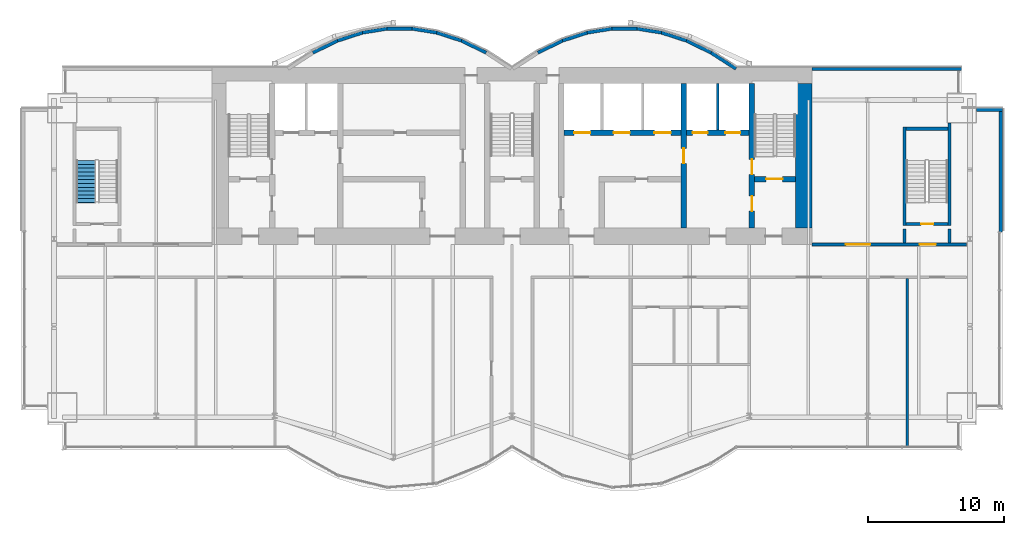
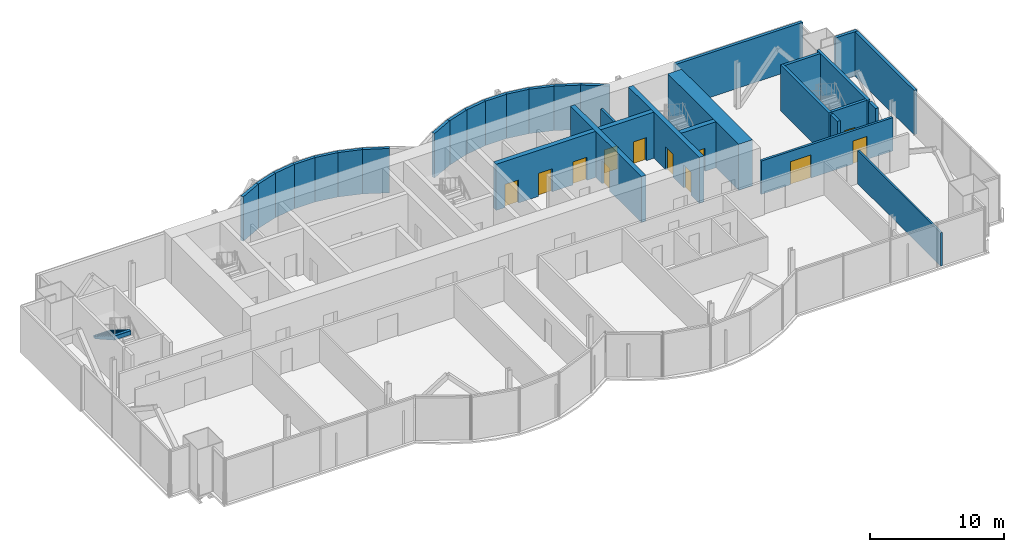
# One storey, part 15 of 19: 32 walls, 12 doors, 1 stair flight, 12 openings, 1 element without a shape of its own.
"""IFC4 building model written with IfcOpenShell, lengths in metres."""

from ifc_helpers import new_model, si_unit, direction, frame, frame_2d, origin, place, context, subcontext, project, spatial, polyline, rectangle, outline, extrude, material, layer, layer_set, layer_usage, type_object, element, fill, aggregate, save


model = new_model("IFC4")

# Units and contexts
model_context = context("Model", 3, precision=1e-05, world=origin(), true_north=direction((0.0, 1.0)))
body_context = subcontext(model_context, "Body", "Model", "MODEL_VIEW")
ifc_project = project(units=[si_unit("LENGTHUNIT", "METRE"), si_unit("AREAUNIT", "SQUARE_METRE"), si_unit("VOLUMEUNIT", "CUBIC_METRE"), si_unit("PLANEANGLEUNIT", "RADIAN"), si_unit("MASSUNIT", "GRAM", prefix="KILO")], contexts=[model_context])

# Site, building, storey
site_placement = place(None, origin())
site = spatial("IfcSite", under=ifc_project, at=site_placement, CompositionType="ELEMENT")
building_placement = place(site_placement, origin())
building = spatial("IfcBuilding", under=site, at=building_placement, Name="Bicima Exchange Tower", CompositionType="ELEMENT")
storey_placement = place(building_placement, frame((0.0, 0.0, 279.199951171875)))
storey = spatial("IfcBuildingStorey", under=building, at=storey_placement, Name="L63", CompositionType="ELEMENT", Elevation=279.199951171875)

# Wall
ifc_material_1 = material(Name="Gypsum board partition")
ifc_layer_1 = layer(ifc_material_1, 0.199951171875)
ifc_layer_set_1 = layer_set([ifc_layer_1], Name="Gypsum board partition")
wall_type_1 = type_object("IfcWallType", Name="Fire-rated gypsum partition 200 EI120", PredefinedType="PARTITIONING", material=ifc_layer_set_1)
wall_1_placement = place(storey_placement, frame((15.10009765625, -4.60009765625, 0.0), z_axis=(0.0, 0.0, 1.0), x_axis=(0.0, 1.0, 0.0)))
element("IfcWall", 1, at=wall_1_placement, inside=storey, type_object=wall_type_1, Name="partition wall 20", PredefinedType="PARTITIONING", context=body_context, shape_type="SweptSolid", body=[
    extrude(rectangle(XDim=3.400146484375, YDim=0.199951171875, at=frame_2d((1.7001953125, 0.0))), origin(), (0.0, 0.0, 1.0), 3.03955078125),
])

# Wall, openings, doors
ifc_layer_2 = layer(ifc_material_1, 0.199951171875)
ifc_layer_set_2 = layer_set([ifc_layer_2], Name="Gypsum board partition")
wall_type_2 = type_object("IfcWallType", Name="Fire-rated gypsum partition 200 EI60", PredefinedType="PARTITIONING", material=ifc_layer_set_2)
wall_2_placement = place(storey_placement, frame((22.0, -13.0, 0.0), z_axis=(0.0, 0.0, 1.0), x_axis=(1.0, 0.0, 0.0)))
wall_2 = element("IfcWall", 2, at=wall_2_placement, inside=storey, type_object=wall_type_2, Name="partition wall 6", PredefinedType="PARTITIONING", context=body_context, shape_type="SweptSolid", body=[
    extrude(rectangle(XDim=11.340087890625, YDim=0.199951171875, at=frame_2d((5.669921875, 0.0))), origin(), (0.0, 0.0, 1.0), 3.03955078125),
])
opening_1_placement = place(wall_2_placement, frame((7.89990234375, 0.0, 0.0)))
opening_1 = element("IfcOpeningElement", 3, at=opening_1_placement, cuts=wall_2, Name="Opening L63-003", PredefinedType="OPENING", context=body_context, shape_type="SweptSolid", body=[
    extrude(rectangle(XDim=1.199951171875, YDim=2.10009765625, at=frame_2d((0.60009765625, 1.050048828125))), frame((0.0, 0.11181640625, 0.0), z_axis=(0.0, -1.0, 0.0), x_axis=(1.0, 0.0, 0.0)), (0.0, 0.0, 1.0), 0.223876953125),
])
opening_2_placement = place(wall_2_placement, frame((2.5, 0.0, 0.0)))
opening_2 = element("IfcOpeningElement", 4, at=opening_2_placement, cuts=wall_2, Name="Opening L63-006", PredefinedType="OPENING", context=body_context, shape_type="SweptSolid", body=[
    extrude(rectangle(XDim=1.800048828125, YDim=2.10009765625, at=frame_2d((0.89990234375, 1.050048828125))), frame((0.0, 0.11181640625, 0.0), z_axis=(0.0, -1.0, 0.0), x_axis=(1.0, 0.0, 0.0)), (0.0, 0.0, 1.0), 0.223876953125),
])
ifc_material_2 = material(Name="Steel fire door leaf", Category="steel")
door_type_1 = type_object("IfcDoorType", Name="Door 1200 swing FD30S", OperationType="SINGLE_SWING_LEFT", PredefinedType="DOOR", material=ifc_material_2)
door_1_placement = place(opening_1_placement, origin())
door_1 = element("IfcDoor", 5, at=door_1_placement, inside=storey, type_object=door_type_1, Name="Door", OperationType="SINGLE_SWING_RIGHT", OverallHeight=2.10009765625, OverallWidth=1.199951171875, PredefinedType="DOOR", context=body_context, shape_type="SweptSolid", body=[
    extrude(rectangle(XDim=1.199951171875, YDim=2.10009765625, at=frame_2d((0.60009765625, 1.050048828125))), frame((0.0, 0.02490234375, 0.0), z_axis=(0.0, -1.0, 0.0), x_axis=(1.0, 0.0, 0.0)), (0.0, 0.0, 1.0), 0.050048828125),
])
fill(opening_1, door_1)
door_type_2 = type_object("IfcDoorType", Name="Door 1800 double swing FD30S", OperationType="DOUBLE_DOOR_SINGLE_SWING", PredefinedType="DOOR", material=ifc_material_2)
door_2_placement = place(opening_2_placement, origin())
door_2 = element("IfcDoor", 6, at=door_2_placement, inside=storey, type_object=door_type_2, Name="Door", OperationType="SINGLE_SWING_LEFT", OverallHeight=2.10009765625, OverallWidth=1.800048828125, PredefinedType="DOOR", context=body_context, shape_type="SweptSolid", body=[
    extrude(rectangle(XDim=1.800048828125, YDim=2.10009765625, at=frame_2d((0.89990234375, 1.050048828125))), frame((0.0, 0.02490234375, 0.0), z_axis=(0.0, -1.0, 0.0), x_axis=(1.0, 0.0, 0.0)), (0.0, 0.0, 1.0), 0.050048828125),
])
fill(opening_2, door_2)

# Walls
ifc_layer_3 = layer(ifc_material_1, 0.14990234375)
ifc_layer_set_3 = layer_set([ifc_layer_3], Name="Gypsum board partition")
wall_type_3 = type_object("IfcWallType", Name="Gypsum partition 150", PredefinedType="PARTITIONING", material=ifc_layer_set_3)
wall_3_placement = place(storey_placement, frame((29.0, -27.8798828125, 0.0), z_axis=(0.0, 0.0, 1.0), x_axis=(0.0, 1.0, 0.0)))
element("IfcWall", 7, at=wall_3_placement, inside=storey, type_object=wall_type_3, Name="partition wall 26", PredefinedType="PARTITIONING", context=body_context, shape_type="SweptSolid", body=[
    extrude(rectangle(XDim=12.3798828125, YDim=0.14990234375, at=frame_2d((6.18994140625, 0.0))), origin(), (0.0, 0.0, 1.0), 3.03955078125),
])
ifc_material_3 = material(Name="Concrete C40/50", Category="concrete")
ifc_layer_4 = layer(ifc_material_3, 1.199951171875)
ifc_layer_set_4 = layer_set([ifc_layer_4], Name="Concrete C40/50")
wall_type_4 = type_object("IfcWallType", Name="RC core wall 1200 C40/50", PredefinedType="SHEAR", material=ifc_layer_set_4)
wall_4_placement = place(storey_placement, frame((21.39990234375, -11.800048828125, 0.0), z_axis=(0.0, 0.0, 1.0), x_axis=(0.0, 1.0, 0.0)))
element("IfcWall", 8, at=wall_4_placement, inside=storey, type_object=wall_type_4, Name="Core wall east", PredefinedType="SHEAR", context=body_context, shape_type="SweptSolid", body=[
    extrude(rectangle(XDim=10.60009765625, YDim=1.199951171875, at=frame_2d((5.300048828125, 0.0))), origin(), (0.0, 0.0, 1.0), 4.199951171875),
])
ifc_material_4 = material(Name="Concrete C50/60", Category="concrete")
ifc_layer_5 = layer(ifc_material_4, 0.25)
ifc_layer_set_5 = layer_set([ifc_layer_5], Name="Concrete C50/60")
wall_type_5 = type_object("IfcWallType", Name="RC core wall 250 C50/60", PredefinedType="SHEAR", material=ifc_layer_set_5)
for number, where, z_axis, x_axis, name in (
    (9, (28.800048828125, -12.89990234375, 0.0), (0.0, 0.0, 1.0), (0.0, 1.0, 0.0), "stair wall 25"),
    (10, (32.10009765625, -12.89990234375, 0.0), (0.0, 0.0, 1.0), (0.0, 1.0, 0.0), "stair wall 27"),
):
    element("IfcWall", number, at=place(storey_placement, frame(where, z_axis=z_axis, x_axis=x_axis)), inside=storey, type_object=wall_type_5, Name=name, PredefinedType="SHEAR", context=body_context, shape_type="SweptSolid", body=[
        extrude(rectangle(XDim=1.0498046875, YDim=0.25, at=frame_2d((0.52490234375, 0.0))), origin(), (0.0, 0.0, 1.0), 4.199951171875),
    ])

# Wall, openings, doors
ifc_layer_6 = layer(ifc_material_3, 0.39990234375)
ifc_layer_set_6 = layer_set([ifc_layer_6], Name="Concrete C40/50")
wall_type_6 = type_object("IfcWallType", Name="RC core wall 400 C40/50", PredefinedType="SHEAR", material=ifc_layer_set_6)
wall_5_placement = place(storey_placement, frame((3.800048828125, -4.800048828125, 0.0), z_axis=(0.0, 0.0, 1.0), x_axis=(1.0, 0.0, 0.0)))
wall_5 = element("IfcWall", 11, at=wall_5_placement, inside=storey, type_object=wall_type_6, Name="shear wall 7", PredefinedType="SHEAR", context=body_context, shape_type="SweptSolid", body=[
    extrude(rectangle(XDim=13.599853515625, YDim=0.39990234375, at=frame_2d((6.7998046875, 0.0))), origin(), (0.0, 0.0, 1.0), 4.199951171875),
])
opening_3_placement = place(wall_5_placement, frame((0.75, 0.0, 0.0)))
opening_3 = element("IfcOpeningElement", 12, at=opening_3_placement, cuts=wall_5, Name="Opening LD-HB1-L63", PredefinedType="OPENING", context=body_context, shape_type="SweptSolid", body=[
    extrude(rectangle(XDim=1.199951171875, YDim=2.10009765625, at=frame_2d((0.60009765625, 1.050048828125))), frame((0.0, 0.2119140625, 0.0), z_axis=(0.0, -1.0, 0.0), x_axis=(1.0, 0.0, 0.0)), (0.0, 0.0, 1.0), 0.423828125),
])
opening_4_placement = place(wall_5_placement, frame((3.64990234375, 0.0, 0.0)))
opening_4 = element("IfcOpeningElement", 13, at=opening_4_placement, cuts=wall_5, Name="Opening LD-HB2-L63", PredefinedType="OPENING", context=body_context, shape_type="SweptSolid", body=[
    extrude(rectangle(XDim=1.199951171875, YDim=2.10009765625, at=frame_2d((0.60009765625, 1.050048828125))), frame((0.0, 0.2119140625, 0.0), z_axis=(0.0, -1.0, 0.0), x_axis=(1.0, 0.0, 0.0)), (0.0, 0.0, 1.0), 0.423828125),
])
opening_5_placement = place(wall_5_placement, frame((6.64990234375, 0.0, 0.0)))
opening_5 = element("IfcOpeningElement", 14, at=opening_5_placement, cuts=wall_5, Name="Opening LD-HB3-L63", PredefinedType="OPENING", context=body_context, shape_type="SweptSolid", body=[
    extrude(rectangle(XDim=1.199951171875, YDim=2.10009765625, at=frame_2d((0.60009765625, 1.050048828125))), frame((0.0, 0.2119140625, 0.0), z_axis=(0.0, -1.0, 0.0), x_axis=(1.0, 0.0, 0.0)), (0.0, 0.0, 1.0), 0.423828125),
])
opening_6_placement = place(wall_5_placement, frame((9.449951171875, 0.0, 0.0)))
opening_6 = element("IfcOpeningElement", 15, at=opening_6_placement, cuts=wall_5, Name="Opening LD-FF2-L63", PredefinedType="OPENING", context=body_context, shape_type="SweptSolid", body=[
    extrude(rectangle(XDim=1.10009765625, YDim=2.10009765625, at=frame_2d((0.550048828125, 1.050048828125))), frame((0.0, 0.2119140625, 0.0), z_axis=(0.0, -1.0, 0.0), x_axis=(1.0, 0.0, 0.0)), (0.0, 0.0, 1.0), 0.423828125),
])
opening_7_placement = place(wall_5_placement, frame((11.85009765625, 0.0, 0.0)))
opening_7 = element("IfcOpeningElement", 16, at=opening_7_placement, cuts=wall_5, Name="Opening LD-SV1-L63", PredefinedType="OPENING", context=body_context, shape_type="SweptSolid", body=[
    extrude(rectangle(XDim=1.10009765625, YDim=2.10009765625, at=frame_2d((0.550048828125, 1.050048828125))), frame((0.0, 0.2119140625, 0.0), z_axis=(0.0, -1.0, 0.0), x_axis=(1.0, 0.0, 0.0)), (0.0, 0.0, 1.0), 0.423828125),
])
ifc_material_5 = material(Name="Stainless steel", Category="steel")
door_type_3 = type_object("IfcDoorType", Name="Lift landing door 1100 sliding", OperationType="DOUBLE_DOOR_SLIDING", PredefinedType="DOOR", material=ifc_material_5)
door_3_placement = place(opening_6_placement, origin())
door_3 = element("IfcDoor", 17, at=door_3_placement, inside=storey, type_object=door_type_3, Name="Lift landing door FF2", OperationType="DOUBLE_DOOR_SLIDING", OverallHeight=2.10009765625, OverallWidth=1.10009765625, PredefinedType="DOOR", context=body_context, shape_type="SweptSolid", body=[
    extrude(rectangle(XDim=1.10009765625, YDim=2.10009765625, at=frame_2d((0.550048828125, 1.050048828125))), frame((0.0, 0.02490234375, 0.0), z_axis=(0.0, -1.0, 0.0), x_axis=(1.0, 0.0, 0.0)), (0.0, 0.0, 1.0), 0.050048828125),
])
fill(opening_6, door_3)
door_4_placement = place(opening_7_placement, origin())
door_4 = element("IfcDoor", 18, at=door_4_placement, inside=storey, type_object=door_type_3, Name="Lift landing door SV1", OperationType="DOUBLE_DOOR_SLIDING", OverallHeight=2.10009765625, OverallWidth=1.10009765625, PredefinedType="DOOR", context=body_context, shape_type="SweptSolid", body=[
    extrude(rectangle(XDim=1.10009765625, YDim=2.10009765625, at=frame_2d((0.550048828125, 1.050048828125))), frame((0.0, 0.02490234375, 0.0), z_axis=(0.0, -1.0, 0.0), x_axis=(1.0, 0.0, 0.0)), (0.0, 0.0, 1.0), 0.050048828125),
])
fill(opening_7, door_4)
door_type_4 = type_object("IfcDoorType", Name="Lift landing door 1200 sliding", OperationType="DOUBLE_DOOR_SLIDING", PredefinedType="DOOR", material=ifc_material_5)
door_5_placement = place(opening_3_placement, origin())
door_5 = element("IfcDoor", 19, at=door_5_placement, inside=storey, type_object=door_type_4, Name="Lift landing door HB1", OperationType="DOUBLE_DOOR_SLIDING", OverallHeight=2.10009765625, OverallWidth=1.199951171875, PredefinedType="DOOR", context=body_context, shape_type="SweptSolid", body=[
    extrude(rectangle(XDim=1.199951171875, YDim=2.10009765625, at=frame_2d((0.60009765625, 1.050048828125))), frame((0.0, 0.02490234375, 0.0), z_axis=(0.0, -1.0, 0.0), x_axis=(1.0, 0.0, 0.0)), (0.0, 0.0, 1.0), 0.050048828125),
])
fill(opening_3, door_5)
door_6_placement = place(opening_4_placement, origin())
door_6 = element("IfcDoor", 20, at=door_6_placement, inside=storey, type_object=door_type_4, Name="Lift landing door HB2", OperationType="DOUBLE_DOOR_SLIDING", OverallHeight=2.10009765625, OverallWidth=1.199951171875, PredefinedType="DOOR", context=body_context, shape_type="SweptSolid", body=[
    extrude(rectangle(XDim=1.199951171875, YDim=2.10009765625, at=frame_2d((0.60009765625, 1.050048828125))), frame((0.0, 0.02490234375, 0.0), z_axis=(0.0, -1.0, 0.0), x_axis=(1.0, 0.0, 0.0)), (0.0, 0.0, 1.0), 0.050048828125),
])
fill(opening_4, door_6)
door_7_placement = place(opening_5_placement, origin())
door_7 = element("IfcDoor", 21, at=door_7_placement, inside=storey, type_object=door_type_4, Name="Lift landing door HB3", OperationType="DOUBLE_DOOR_SLIDING", OverallHeight=2.10009765625, OverallWidth=1.199951171875, PredefinedType="DOOR", context=body_context, shape_type="SweptSolid", body=[
    extrude(rectangle(XDim=1.199951171875, YDim=2.10009765625, at=frame_2d((0.60009765625, 1.050048828125))), frame((0.0, 0.02490234375, 0.0), z_axis=(0.0, -1.0, 0.0), x_axis=(1.0, 0.0, 0.0)), (0.0, 0.0, 1.0), 0.050048828125),
])
fill(opening_5, door_7)

# Wall, opening, door
wall_6_placement = place(storey_placement, frame((12.60009765625, -11.800048828125, 0.0), z_axis=(0.0, 0.0, 1.0), x_axis=(0.0, 1.0, 0.0)))
wall_6 = element("IfcWall", 22, at=wall_6_placement, inside=storey, type_object=wall_type_6, Name="shear wall 19", PredefinedType="SHEAR", context=body_context, shape_type="SweptSolid", body=[
    extrude(rectangle(XDim=10.60009765625, YDim=0.39990234375, at=frame_2d((5.300048828125, 0.0))), origin(), (0.0, 0.0, 1.0), 4.199951171875),
])
opening_8_placement = place(wall_6_placement, frame((4.75, 0.0, 0.0)))
opening_8 = element("IfcOpeningElement", 23, at=opening_8_placement, cuts=wall_6, Name="Opening L63-C09", PredefinedType="OPENING", context=body_context, shape_type="SweptSolid", body=[
    extrude(rectangle(XDim=1.10009765625, YDim=2.10009765625, at=frame_2d((0.550048828125, 1.050048828125))), frame((0.0, 0.2119140625, 0.0), z_axis=(0.0, -1.0, 0.0), x_axis=(1.0, 0.0, 0.0)), (0.0, 0.0, 1.0), 0.423828125),
])
door_type_5 = type_object("IfcDoorType", Name="Door 1100 swing FD60S", OperationType="SINGLE_SWING_LEFT", PredefinedType="DOOR", material=ifc_material_2)
door_8_placement = place(opening_8_placement, frame((1.10009765625, 0.0, 0.0), z_axis=(0.0, 0.0, 1.0), x_axis=(-1.0, 0.0, 0.0)))
door_8 = element("IfcDoor", 24, at=door_8_placement, inside=storey, type_object=door_type_5, Name="Core door", OperationType="SINGLE_SWING_RIGHT", OverallHeight=2.10009765625, OverallWidth=1.10009765625, PredefinedType="DOOR", context=body_context, shape_type="SweptSolid", body=[
    extrude(rectangle(XDim=1.10009765625, YDim=2.10009765625, at=frame_2d((0.550048828125, 1.050048828125))), frame((0.0, 0.02490234375, 0.0), z_axis=(0.0, -1.0, 0.0), x_axis=(1.0, 0.0, 0.0)), (0.0, 0.0, 1.0), 0.050048828125),
])
fill(opening_8, door_8)

ifc_layer_7 = layer(ifc_material_4, 0.39990234375)
ifc_layer_set_7 = layer_set([ifc_layer_7], Name="Concrete C50/60")
wall_type_7 = type_object("IfcWallType", Name="RC core wall 400 C50/60", PredefinedType="SHEAR", material=ifc_layer_set_7)
wall_7_placement = place(storey_placement, frame((17.800048828125, -8.199951171875, 0.0), z_axis=(0.0, 0.0, 1.0), x_axis=(1.0, 0.0, 0.0)))
wall_7 = element("IfcWall", 25, at=wall_7_placement, inside=storey, type_object=wall_type_7, Name="stair wall 5", PredefinedType="SHEAR", context=body_context, shape_type="SweptSolid", body=[
    extrude(rectangle(XDim=3.0, YDim=0.39990234375, at=frame_2d((1.5, 0.0))), origin(), (0.0, 0.0, 1.0), 4.199951171875),
])
opening_9_placement = place(wall_7_placement, frame((0.85009765625, 0.0, 0.0)))
opening_9 = element("IfcOpeningElement", 26, at=opening_9_placement, cuts=wall_7, Name="Opening L63-C04", PredefinedType="OPENING", context=body_context, shape_type="SweptSolid", body=[
    extrude(rectangle(XDim=1.199951171875, YDim=2.10009765625, at=frame_2d((0.60009765625, 1.050048828125))), frame((0.0, 0.2119140625, 0.0), z_axis=(0.0, -1.0, 0.0), x_axis=(1.0, 0.0, 0.0)), (0.0, 0.0, 1.0), 0.423828125),
])
door_type_6 = type_object("IfcDoorType", Name="Door 1200 swing FD60S", OperationType="SINGLE_SWING_LEFT", PredefinedType="DOOR", material=ifc_material_2)
door_9_placement = place(opening_9_placement, origin())
door_9 = element("IfcDoor", 27, at=door_9_placement, inside=storey, type_object=door_type_6, Name="Core door", OperationType="SINGLE_SWING_RIGHT", OverallHeight=2.10009765625, OverallWidth=1.199951171875, PredefinedType="DOOR", context=body_context, shape_type="SweptSolid", body=[
    extrude(rectangle(XDim=1.199951171875, YDim=2.10009765625, at=frame_2d((0.60009765625, 1.050048828125))), frame((0.0, 0.02490234375, 0.0), z_axis=(0.0, -1.0, 0.0), x_axis=(1.0, 0.0, 0.0)), (0.0, 0.0, 1.0), 0.050048828125),
])
fill(opening_9, door_9)

# Wall, openings, doors
wall_8_placement = place(storey_placement, frame((17.60009765625, -11.800048828125, 0.0), z_axis=(0.0, 0.0, 1.0), x_axis=(0.0, 1.0, 0.0)))
wall_8 = element("IfcWall", 28, at=wall_8_placement, inside=storey, type_object=wall_type_7, Name="stair wall 21", PredefinedType="SHEAR", context=body_context, shape_type="SweptSolid", body=[
    extrude(rectangle(XDim=10.60009765625, YDim=0.39990234375, at=frame_2d((5.300048828125, 0.0))), origin(), (0.0, 0.0, 1.0), 4.199951171875),
])
opening_10_placement = place(wall_8_placement, frame((1.25, 0.0, 0.0)))
opening_10 = element("IfcOpeningElement", 29, at=opening_10_placement, cuts=wall_8, Name="Opening L63-C05", PredefinedType="OPENING", context=body_context, shape_type="SweptSolid", body=[
    extrude(rectangle(XDim=1.10009765625, YDim=2.10009765625, at=frame_2d((0.550048828125, 1.050048828125))), frame((0.0, 0.2119140625, 0.0), z_axis=(0.0, -1.0, 0.0), x_axis=(1.0, 0.0, 0.0)), (0.0, 0.0, 1.0), 0.423828125),
])
opening_11_placement = place(wall_8_placement, frame((3.949951171875, 0.0, 0.0)))
opening_11 = element("IfcOpeningElement", 30, at=opening_11_placement, cuts=wall_8, Name="Opening L63-C08", PredefinedType="OPENING", context=body_context, shape_type="SweptSolid", body=[
    extrude(rectangle(XDim=1.10009765625, YDim=2.10009765625, at=frame_2d((0.550048828125, 1.050048828125))), frame((0.0, 0.2119140625, 0.0), z_axis=(0.0, -1.0, 0.0), x_axis=(1.0, 0.0, 0.0)), (0.0, 0.0, 1.0), 0.423828125),
])
door_10_placement = place(opening_10_placement, origin())
door_10 = element("IfcDoor", 31, at=door_10_placement, inside=storey, type_object=door_type_5, Name="Core door", OperationType="SINGLE_SWING_LEFT", OverallHeight=2.10009765625, OverallWidth=1.10009765625, PredefinedType="DOOR", context=body_context, shape_type="SweptSolid", body=[
    extrude(rectangle(XDim=1.10009765625, YDim=2.10009765625, at=frame_2d((0.550048828125, 1.050048828125))), frame((0.0, 0.02490234375, 0.0), z_axis=(0.0, -1.0, 0.0), x_axis=(1.0, 0.0, 0.0)), (0.0, 0.0, 1.0), 0.050048828125),
])
fill(opening_10, door_10)
door_11_placement = place(opening_11_placement, origin())
door_11 = element("IfcDoor", 32, at=door_11_placement, inside=storey, type_object=door_type_5, Name="Core door", OperationType="SINGLE_SWING_RIGHT", OverallHeight=2.10009765625, OverallWidth=1.10009765625, PredefinedType="DOOR", context=body_context, shape_type="SweptSolid", body=[
    extrude(rectangle(XDim=1.10009765625, YDim=2.10009765625, at=frame_2d((0.550048828125, 1.050048828125))), frame((0.0, 0.02490234375, 0.0), z_axis=(0.0, -1.0, 0.0), x_axis=(1.0, 0.0, 0.0)), (0.0, 0.0, 1.0), 0.050048828125),
])
fill(opening_11, door_11)

# Walls
ifc_layer_8 = layer(ifc_material_4, 0.25)
ifc_layer_set_8 = layer_set([ifc_layer_8], Name="Concrete C50/60")
wall_type_8 = type_object("IfcWallType", Name="RC stair enclosure wall 250 C50/60", PredefinedType="SHEAR", material=ifc_layer_set_8)
wall_9_placement = place(storey_placement, frame((28.800048828125, -11.625, 0.0), z_axis=(0.0, 0.0, 1.0), x_axis=(0.0, 1.0, 0.0)))
element("IfcWall", 33, at=wall_9_placement, inside=storey, type_object=wall_type_8, Name="East end exit stair wall W", PredefinedType="SHEAR", context=body_context, shape_type="SweptSolid", body=[
    extrude(rectangle(XDim=7.25, YDim=0.25, at=frame_2d((3.625, 0.0))), origin(), (0.0, 0.0, 1.0), 4.199951171875),
])
wall_10_placement = place(storey_placement, frame((32.10009765625, -11.625, 0.0), z_axis=(0.0, 0.0, 1.0), x_axis=(0.0, 1.0, 0.0)))
element("IfcWall", 34, at=wall_10_placement, inside=storey, type_object=wall_type_8, Name="East end exit stair wall E", PredefinedType="SHEAR", context=body_context, shape_type="SweptSolid", body=[
    extrude(rectangle(XDim=7.52490234375, YDim=0.25, at=frame_2d((3.762451171875, 0.0))), origin(), (0.0, 0.0, 1.0), 4.199951171875),
])

# Wall, opening, door
wall_11_placement = place(storey_placement, frame((28.925048828125, -11.5, 0.0), z_axis=(0.0, 0.0, 1.0), x_axis=(1.0, 0.0, 0.0)))
wall_11 = element("IfcWall", 35, at=wall_11_placement, inside=storey, type_object=wall_type_8, Name="East end exit stair wall S", PredefinedType="SHEAR", context=body_context, shape_type="SweptSolid", body=[
    extrude(rectangle(XDim=3.050048828125, YDim=0.25, at=frame_2d((1.52490234375, 0.0))), origin(), (0.0, 0.0, 1.0), 4.199951171875),
])
opening_12_placement = place(wall_11_placement, frame((1.10009765625, 0.0, 0.0)))
opening_12 = element("IfcOpeningElement", 36, at=opening_12_placement, cuts=wall_11, Name="Opening L63-004", PredefinedType="OPENING", context=body_context, shape_type="SweptSolid", body=[
    extrude(rectangle(XDim=0.89990234375, YDim=2.10009765625, at=frame_2d((0.449951171875, 1.050048828125))), frame((0.0, 0.136962890625, 0.0), z_axis=(0.0, -1.0, 0.0), x_axis=(1.0, 0.0, 0.0)), (0.0, 0.0, 1.0), 0.27392578125),
])
door_type_7 = type_object("IfcDoorType", Name="Door 900 swing FD60S", OperationType="SINGLE_SWING_LEFT", PredefinedType="DOOR", material=ifc_material_2)
door_12_placement = place(opening_12_placement, origin())
door_12 = element("IfcDoor", 37, at=door_12_placement, inside=storey, type_object=door_type_7, Name="Door", OperationType="SINGLE_SWING_LEFT", OverallHeight=2.10009765625, OverallWidth=0.89990234375, PredefinedType="DOOR", context=body_context, shape_type="SweptSolid", body=[
    extrude(rectangle(XDim=0.89990234375, YDim=2.10009765625, at=frame_2d((0.449951171875, 1.050048828125))), frame((0.0, 0.02490234375, 0.0), z_axis=(0.0, -1.0, 0.0), x_axis=(1.0, 0.0, 0.0)), (0.0, 0.0, 1.0), 0.050048828125),
])
fill(opening_12, door_12)

# Walls
wall_12_placement = place(storey_placement, frame((28.925048828125, -4.5, 0.0), z_axis=(0.0, 0.0, 1.0), x_axis=(1.0, 0.0, 0.0)))
element("IfcWall", 38, at=wall_12_placement, inside=storey, type_object=wall_type_8, Name="East end exit stair wall N", PredefinedType="SHEAR", context=body_context, shape_type="SweptSolid", body=[
    extrude(rectangle(XDim=3.050048828125, YDim=0.25, at=frame_2d((1.52490234375, 0.0))), origin(), (0.0, 0.0, 1.0), 4.199951171875),
])
ifc_layer_9 = layer(ifc_material_3, 0.25)
ifc_layer_set_9 = layer_set([ifc_layer_9], Name="Concrete C40/50")
ifc_layer_usage = layer_usage(ifc_layer_set_9, "AXIS2", "POSITIVE", -0.125)
wall_type_9 = type_object("IfcWallType", Name="Rear backup wall 250", PredefinedType="STANDARD", material=ifc_layer_set_9)
wall_13_placement = place(storey_placement, frame((33.0, -0.125, 0.0), z_axis=(0.0, 0.0, 1.0), x_axis=(-1.0, 0.0, 0.0)))
element("IfcWall", 39, at=wall_13_placement, inside=storey, type_object=wall_type_9, material=ifc_layer_usage, Name="Rear backup wall L63 1", PredefinedType="STANDARD", context=body_context, shape_type="SweptSolid", body=[
    extrude(rectangle(XDim=11.0, YDim=0.25, at=frame_2d((5.5, 0.0))), origin(), (0.0, 0.0, 1.0), 4.050048828125),
])
wall_14_placement = place(storey_placement, frame((16.43212890625, -0.10498046875, 0.0), z_axis=(0.0, 0.0, 1.0), x_axis=(-0.83981312244, 0.542875602121, 0.0)))
element("IfcWall", 40, at=wall_14_placement, inside=storey, type_object=wall_type_9, material=ifc_layer_usage, Name="Rear backup wall L63 2", PredefinedType="STANDARD", context=body_context, shape_type="SweptSolid", body=[
    extrude(rectangle(XDim=2.182861328125, YDim=0.25, at=frame_2d((1.09130859375, 0.0))), origin(), (0.0, 0.0, 1.0), 4.050048828125),
])
wall_15_placement = place(storey_placement, frame((14.6123046875, 1.07275390625, 0.0), z_axis=(0.0, 0.0, 1.0), x_axis=(-0.89982408427, 0.436252928206, 0.0)))
element("IfcWall", 41, at=wall_15_placement, inside=storey, type_object=wall_type_9, material=ifc_layer_usage, Name="Rear backup wall L63 3", PredefinedType="STANDARD", context=body_context, shape_type="SweptSolid", body=[
    extrude(rectangle(XDim=2.03759765625, YDim=0.25, at=frame_2d((1.018798828125, 0.0))), origin(), (0.0, 0.0, 1.0), 4.050048828125),
])
wall_16_placement = place(storey_placement, frame((12.794921875, 1.955078125, 0.0), z_axis=(0.0, 0.0, 1.0), x_axis=(-0.951495806175, 0.307661714928, 0.0)))
element("IfcWall", 42, at=wall_16_placement, inside=storey, type_object=wall_type_9, material=ifc_layer_usage, Name="Rear backup wall L63 4", PredefinedType="STANDARD", context=body_context, shape_type="SweptSolid", body=[
    extrude(rectangle(XDim=1.9267578125, YDim=0.25, at=frame_2d((0.96337890625, 0.0))), origin(), (0.0, 0.0, 1.0), 4.050048828125),
])
wall_17_placement = place(storey_placement, frame((10.97998046875, 2.543212890625, 0.0), z_axis=(0.0, 0.0, 1.0), x_axis=(-0.987181718931, 0.159600293885, 0.0)))
element("IfcWall", 43, at=wall_17_placement, inside=storey, type_object=wall_type_9, material=ifc_layer_usage, Name="Rear backup wall L63 5", PredefinedType="STANDARD", context=body_context, shape_type="SweptSolid", body=[
    extrude(rectangle(XDim=1.857177734375, YDim=0.25, at=frame_2d((0.9287109375, 0.0))), origin(), (0.0, 0.0, 1.0), 4.050048828125),
])
wall_18_placement = place(storey_placement, frame((9.166748046875, 2.837890625, 0.0), z_axis=(0.0, 0.0, 1.0), x_axis=(-1.0, 0.0, 0.0)))
element("IfcWall", 44, at=wall_18_placement, inside=storey, type_object=wall_type_9, material=ifc_layer_usage, Name="Rear backup wall L63 6", PredefinedType="STANDARD", context=body_context, shape_type="SweptSolid", body=[
    extrude(rectangle(XDim=1.83349609375, YDim=0.25, at=frame_2d((0.916748046875, 0.0))), origin(), (0.0, 0.0, 1.0), 4.050048828125),
])
wall_19_placement = place(storey_placement, frame((7.353271484375, 2.839599609375, 0.0), z_axis=(0.0, 0.0, 1.0), x_axis=(-0.987181718931, -0.159600293885, 0.0)))
element("IfcWall", 45, at=wall_19_placement, inside=storey, type_object=wall_type_9, material=ifc_layer_usage, Name="Rear backup wall L63 7", PredefinedType="STANDARD", context=body_context, shape_type="SweptSolid", body=[
    extrude(rectangle(XDim=1.857177734375, YDim=0.25, at=frame_2d((0.9287109375, 0.0))), origin(), (0.0, 0.0, 1.0), 4.050048828125),
])
wall_20_placement = place(storey_placement, frame((5.538330078125, 2.5478515625, 0.0), z_axis=(0.0, 0.0, 1.0), x_axis=(-0.951495806175, -0.307661714928, 0.0)))
element("IfcWall", 46, at=wall_20_placement, inside=storey, type_object=wall_type_9, material=ifc_layer_usage, Name="Rear backup wall L63 8", PredefinedType="STANDARD", context=body_context, shape_type="SweptSolid", body=[
    extrude(rectangle(XDim=1.9267578125, YDim=0.25, at=frame_2d((0.96337890625, 0.0))), origin(), (0.0, 0.0, 1.0), 4.050048828125),
])
for number, where, z_axis, x_axis, name in (
    (47, (3.72119140625, 1.961669921875, 0.0), (0.0, 0.0, 1.0), (-0.89982408427, -0.436252928206, 0.0), "Rear backup wall L63 9"),
    (48, (-1.8876953125, 1.07275390625, 0.0), (0.0, 0.0, 1.0), (-0.89982408427, 0.436252928206, 0.0), "Rear backup wall L63 12"),
):
    element("IfcWall", number, at=place(storey_placement, frame(where, z_axis=z_axis, x_axis=x_axis)), inside=storey, type_object=wall_type_9, material=ifc_layer_usage, Name=name, PredefinedType="STANDARD", context=body_context, shape_type="SweptSolid", body=[
        extrude(rectangle(XDim=2.03759765625, YDim=0.25, at=frame_2d((1.018798828125, 0.0))), origin(), (0.0, 0.0, 1.0), 4.050048828125),
    ])
wall_21_placement = place(storey_placement, frame((-3.705078125, 1.955078125, 0.0), z_axis=(0.0, 0.0, 1.0), x_axis=(-0.951495806175, 0.307661714928, 0.0)))
element("IfcWall", 49, at=wall_21_placement, inside=storey, type_object=wall_type_9, material=ifc_layer_usage, Name="Rear backup wall L63 13", PredefinedType="STANDARD", context=body_context, shape_type="SweptSolid", body=[
    extrude(rectangle(XDim=1.9267578125, YDim=0.25, at=frame_2d((0.96337890625, 0.0))), origin(), (0.0, 0.0, 1.0), 4.050048828125),
])
wall_22_placement = place(storey_placement, frame((-5.52001953125, 2.543212890625, 0.0), z_axis=(0.0, 0.0, 1.0), x_axis=(-0.987181718931, 0.159600293885, 0.0)))
element("IfcWall", 50, at=wall_22_placement, inside=storey, type_object=wall_type_9, material=ifc_layer_usage, Name="Rear backup wall L63 14", PredefinedType="STANDARD", context=body_context, shape_type="SweptSolid", body=[
    extrude(rectangle(XDim=1.857177734375, YDim=0.25, at=frame_2d((0.9287109375, 0.0))), origin(), (0.0, 0.0, 1.0), 4.050048828125),
])
wall_23_placement = place(storey_placement, frame((-7.333251953125, 2.837890625, 0.0), z_axis=(0.0, 0.0, 1.0), x_axis=(-1.0, 0.0, 0.0)))
element("IfcWall", 51, at=wall_23_placement, inside=storey, type_object=wall_type_9, material=ifc_layer_usage, Name="Rear backup wall L63 15", PredefinedType="STANDARD", context=body_context, shape_type="SweptSolid", body=[
    extrude(rectangle(XDim=1.83349609375, YDim=0.25, at=frame_2d((0.916748046875, 0.0))), origin(), (0.0, 0.0, 1.0), 4.050048828125),
])
wall_24_placement = place(storey_placement, frame((-9.146728515625, 2.839599609375, 0.0), z_axis=(0.0, 0.0, 1.0), x_axis=(-0.987181718931, -0.159600293885, 0.0)))
element("IfcWall", 52, at=wall_24_placement, inside=storey, type_object=wall_type_9, material=ifc_layer_usage, Name="Rear backup wall L63 16", PredefinedType="STANDARD", context=body_context, shape_type="SweptSolid", body=[
    extrude(rectangle(XDim=1.857177734375, YDim=0.25, at=frame_2d((0.9287109375, 0.0))), origin(), (0.0, 0.0, 1.0), 4.050048828125),
])
wall_25_placement = place(storey_placement, frame((-10.961669921875, 2.5478515625, 0.0), z_axis=(0.0, 0.0, 1.0), x_axis=(-0.951495806175, -0.307661714928, 0.0)))
element("IfcWall", 53, at=wall_25_placement, inside=storey, type_object=wall_type_9, material=ifc_layer_usage, Name="Rear backup wall L63 17", PredefinedType="STANDARD", context=body_context, shape_type="SweptSolid", body=[
    extrude(rectangle(XDim=1.9267578125, YDim=0.25, at=frame_2d((0.96337890625, 0.0))), origin(), (0.0, 0.0, 1.0), 4.050048828125),
])
wall_26_placement = place(storey_placement, frame((-12.77880859375, 1.961669921875, 0.0), z_axis=(0.0, 0.0, 1.0), x_axis=(-0.89982408427, -0.436252928206, 0.0)))
element("IfcWall", 54, at=wall_26_placement, inside=storey, type_object=wall_type_9, material=ifc_layer_usage, Name="Rear backup wall L63 18", PredefinedType="STANDARD", context=body_context, shape_type="SweptSolid", body=[
    extrude(rectangle(XDim=2.03759765625, YDim=0.25, at=frame_2d((1.018798828125, 0.0))), origin(), (0.0, 0.0, 1.0), 4.050048828125),
])
wall_27_placement = place(storey_placement, frame((35.875, -12.090087890625, 0.0), z_axis=(0.0, 0.0, 1.0), x_axis=(0.0, 1.0, 0.0)))
element("IfcWall", 55, at=wall_27_placement, inside=storey, type_object=wall_type_9, material=ifc_layer_usage, Name="Rear backup wall L63 50", PredefinedType="STANDARD", context=body_context, shape_type="SweptSolid", body=[
    extrude(rectangle(XDim=9.090087890625, YDim=0.25, at=frame_2d((4.544921875, 0.0))), origin(), (0.0, 0.0, 1.0), 4.050048828125),
])
wall_28_placement = place(storey_placement, frame((36.0, -3.125, 0.0), z_axis=(0.0, 0.0, 1.0), x_axis=(-1.0, 0.0, 0.0)))
element("IfcWall", 56, at=wall_28_placement, inside=storey, type_object=wall_type_9, material=ifc_layer_usage, Name="Rear backup wall L63 51", PredefinedType="STANDARD", context=body_context, shape_type="SweptSolid", body=[
    extrude(rectangle(XDim=1.89990234375, YDim=0.25, at=frame_2d((0.949951171875, 0.0))), origin(), (0.0, 0.0, 1.0), 4.050048828125),
])

# Stair, stair flight
stair_type = type_object("IfcStairType", Name="Exit stair", PredefinedType="HALF_TURN_STAIR", material=ifc_material_4)
stair_placement = place(storey_placement, origin())
stair = element("IfcStair", 57, at=stair_placement, inside=storey, type_object=stair_type, Name="L63 West end exit stair", PredefinedType="HALF_TURN_STAIR")
stair_flight_type = type_object("IfcStairFlightType", Name="Stair flight RC", PredefinedType="STRAIGHT", material=ifc_material_4)
stair_flight_placement = place(storey_placement, frame((-31.25, -6.844970703125, 2.10009765625), z_axis=(0.0, 0.0, 1.0), x_axis=(0.0, -1.0, 0.0)))
stair_flight = element("IfcStairFlight", 58, at=stair_flight_placement, type_object=stair_flight_type, Name="ST-WW flight 2", NumberOfRisers=12, NumberOfTreads=11, PredefinedType="STRAIGHT", RiserHeight=0.175, TreadLength=0.28, context=body_context, shape_type="SweptSolid", body=[
    extrude(outline(polyline([(0.0, 0.0), (0.0, 0.175048828125), (0.280029296875, 0.175048828125), (0.280029296875, 0.35009765625), (0.56005859375, 0.35009765625), (0.56005859375, 0.52490234375), (0.840087890625, 0.52490234375), (0.840087890625, 0.699951171875), (1.1201171875, 0.699951171875), (1.1201171875, 0.875), (1.39990234375, 0.875), (1.39990234375, 1.050048828125), (1.679931640625, 1.050048828125), (1.679931640625, 1.22509765625), (1.9599609375, 1.22509765625), (1.9599609375, 1.39990234375), (2.239990234375, 1.39990234375), (2.239990234375, 1.574951171875), (2.52001953125, 1.574951171875), (2.52001953125, 1.75), (2.800048828125, 1.75), (2.800048828125, 1.925048828125), (3.080078125, 1.925048828125), (3.080078125, 1.9541015625), (3.094970703125, 1.9541015625), (3.094970703125, 1.58251953125), (0.28271484375, 0.0), (0.0, 0.0)])), frame((0.0, 0.72509765625, 0.0), z_axis=(0.0, -1.0, 0.0), x_axis=(1.0, 0.0, 0.0)), (0.0, 0.0, 1.0), 1.449951171875),
])
aggregate(stair, [stair_flight])

save(model, "model.ifc")
